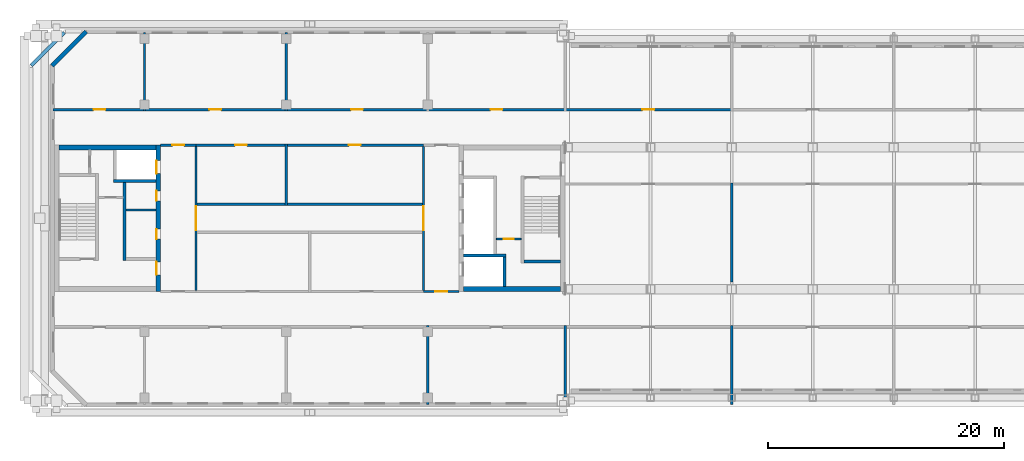
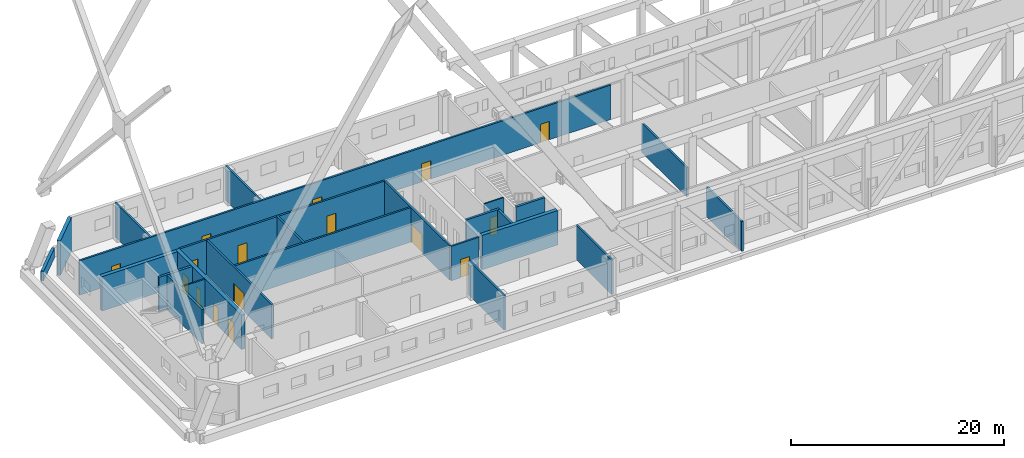
# One storey, part 5 of 17: 26 walls, 16 doors, 16 openings.
"""IFC4 building model written with IfcOpenShell, lengths in metres."""

from ifc_helpers import new_model, si_unit, direction, frame, frame_2d, origin, place, context, subcontext, project, spatial, rectangle, extrude, material, layer, layer_set, type_object, element, fill, save


model = new_model("IFC4")

# Units and contexts
model_context = context("Model", 3, precision=1e-05, world=origin(), true_north=direction((0.0, 1.0)))
body_context = subcontext(model_context, "Body", "Model", "MODEL_VIEW")
ifc_project = project(units=[si_unit("LENGTHUNIT", "METRE"), si_unit("AREAUNIT", "SQUARE_METRE"), si_unit("VOLUMEUNIT", "CUBIC_METRE"), si_unit("PLANEANGLEUNIT", "RADIAN"), si_unit("MASSUNIT", "GRAM", prefix="KILO")], contexts=[model_context])

# Site, building, storey
site_placement = place(None, origin())
site = spatial("IfcSite", under=ifc_project, at=site_placement, CompositionType="ELEMENT")
building_placement = place(site_placement, origin())
building = spatial("IfcBuilding", under=site, at=building_placement, Name="Tuart Gate Housing", CompositionType="ELEMENT")
storey_placement = place(building_placement, frame((0.0, 0.0, 194.39990234375)))
storey = spatial("IfcBuildingStorey", under=building, at=storey_placement, Name="L55", CompositionType="ELEMENT", Elevation=194.39990234375)

# Walls
ifc_material_1 = material(Name="Brick", Category="masonry")
ifc_layer_1 = layer(ifc_material_1, 0.300048828125)
ifc_layer_set_1 = layer_set([ifc_layer_1], Name="Brick parapet wall 300")
wall_type_1 = type_object("IfcWallType", Name="Brick parapet wall 300", PredefinedType="PARAPET", material=ifc_layer_set_1)
wall_1_placement = place(storey_placement, frame((33.20458984375, 85.742431640625, 0.0), z_axis=(0.0, 0.0, 1.0), x_axis=(-0.707137557743, -0.70707600329, 0.0)))
element("IfcWall", 1, at=wall_1_placement, inside=storey, type_object=wall_type_1, Name="Roof parapet A 2", PredefinedType="PARAPET", context=body_context, shape_type="SweptSolid", body=[
    extrude(rectangle(XDim=3.96630859375, YDim=0.300048828125, at=frame_2d((1.983154296875, 0.0))), origin(), (0.0, 0.0, 1.0), 1.10009765625),
])
ifc_material_2 = material(Name="Brick", Category="masonry")
ifc_layer_2 = layer(ifc_material_2, 0.360107421875)
ifc_layer_set_2 = layer_set([ifc_layer_2], Name="Brick pier and spandrel wall 360")
wall_type_2 = type_object("IfcWallType", Name="Brick pier and spandrel wall 360", PredefinedType="STANDARD", material=ifc_layer_set_2)
wall_2_placement = place(storey_placement, frame((35.07470703125, 85.820068359375, 0.0), z_axis=(0.0, 0.0, 1.0), x_axis=(-0.707106781187, -0.707106781187, 0.0)))
element("IfcWall", 2, at=wall_2_placement, inside=storey, type_object=wall_type_2, Name="External wall BLK-NW L55", PredefinedType="STANDARD", context=body_context, shape_type="SweptSolid", body=[
    extrude(rectangle(XDim=4.09375, YDim=0.360107421875, at=frame_2d((2.046875, 0.0))), origin(), (0.0, 0.0, 1.0), 3.9501953125),
])

# Wall, opening, door
ifc_material_3 = material(Name="Plasterboard partition")
ifc_layer_3 = layer(ifc_material_3, 0.14990234375)
ifc_layer_set_3 = layer_set([ifc_layer_3], Name="Core partition 150")
wall_type_3 = type_object("IfcWallType", Name="Core partition 150", PredefinedType="PARTITIONING", material=ifc_layer_set_3)
wall_3_placement = place(storey_placement, frame((69.81494140625, 68.25, 0.0), z_axis=(0.0, 0.0, 1.0), x_axis=(1.0, 0.0, 0.0)))
wall_3 = element("IfcWall", 3, at=wall_3_placement, inside=storey, type_object=wall_type_3, Name="Core partition AG.3", PredefinedType="PARTITIONING", context=body_context, shape_type="SweptSolid", body=[
    extrude(rectangle(XDim=2.10009765625, YDim=0.14990234375, at=frame_2d((1.050048828125, 0.0))), origin(), (0.0, 0.0, 1.0), 3.9501953125),
])
opening_1_placement = place(wall_3_placement, frame((0.625, 0.0, 0.0)))
opening_1 = element("IfcOpeningElement", 4, at=opening_1_placement, cuts=wall_3, Name="Opening D3517", PredefinedType="OPENING", context=body_context, shape_type="SweptSolid", body=[
    extrude(rectangle(XDim=0.85009765625, YDim=2.10009765625, at=frame_2d((0.425048828125, 1.050048828125))), frame((0.0, 0.0849609375, 0.0), z_axis=(0.0, -1.0, 0.0), x_axis=(1.0, 0.0, 0.0)), (0.0, 0.0, 1.0), 0.169921875),
])
ifc_material_4 = material(Name="Steel fire door", Category="steel")
door_type_1 = type_object("IfcDoorType", Name="Riser door 850 x 2100 RH", OperationType="SINGLE_SWING_RIGHT", PredefinedType="DOOR", material=ifc_material_4)
door_1_placement = place(opening_1_placement, frame((0.85009765625, 0.0, 0.0), z_axis=(0.0, 0.0, 1.0), x_axis=(-1.0, 0.0, 0.0)))
door_1 = element("IfcDoor", 5, at=door_1_placement, inside=storey, type_object=door_type_1, Name="Service room door AG.E1", OperationType="SINGLE_SWING_RIGHT", OverallHeight=2.10009765625, OverallWidth=0.85009765625, PredefinedType="DOOR", context=body_context, shape_type="SweptSolid", body=[
    extrude(rectangle(XDim=0.85009765625, YDim=2.10009765625, at=frame_2d((0.425048828125, 1.050048828125))), frame((0.0, 0.025146484375, 0.0), z_axis=(0.0, -1.0, 0.0), x_axis=(1.0, 0.0, 0.0)), (0.0, 0.0, 1.0), 0.050048828125),
])
fill(opening_1, door_1)

# Walls
wall_4_placement = place(storey_placement, frame((40.9599609375, 70.699951171875, 0.0), z_axis=(0.0, 0.0, 1.0), x_axis=(-1.0, 0.0, 0.0)))
element("IfcWall", 6, at=wall_4_placement, inside=storey, type_object=wall_type_3, Name="Core partition AK.4", PredefinedType="PARTITIONING", context=body_context, shape_type="SweptSolid", body=[
    extrude(rectangle(XDim=2.52490234375, YDim=0.14990234375, at=frame_2d((1.262451171875, 0.0))), origin(), (0.0, 0.0, 1.0), 3.9501953125),
])
ifc_material_5 = material(Name="Concrete C40", Category="concrete")
ifc_layer_4 = layer(ifc_material_5, 0.25)
ifc_layer_set_4 = layer_set([ifc_layer_4], Name="Core wall 250 C40")
wall_type_4 = type_object("IfcWallType", Name="Core wall 250 C40", PredefinedType="SHEAR", material=ifc_layer_set_4)
wall_5_placement = place(storey_placement, frame((72.1650390625, 66.35009765625, 0.0), z_axis=(0.0, 0.0, 1.0), x_axis=(1.0, 0.0, 0.0)))
element("IfcWall", 7, at=wall_5_placement, inside=storey, type_object=wall_type_4, Name="Core wall AG.1", PredefinedType="SHEAR", context=body_context, shape_type="SweptSolid", body=[
    extrude(rectangle(XDim=3.074951171875, YDim=0.25, at=frame_2d((1.53759765625, 0.0))), origin(), (0.0, 0.0, 1.0), 3.9501953125),
])
wall_6_placement = place(storey_placement, frame((67.0400390625, 66.85009765625, 0.0), z_axis=(0.0, 0.0, 1.0), x_axis=(1.0, 0.0, 0.0)))
element("IfcWall", 8, at=wall_6_placement, inside=storey, type_object=wall_type_4, Name="Core wall AG.2", PredefinedType="SHEAR", context=body_context, shape_type="SweptSolid", body=[
    extrude(rectangle(XDim=3.594970703125, YDim=0.25, at=frame_2d((1.79736328125, 0.0))), origin(), (0.0, 0.0, 1.0), 3.9501953125),
])
wall_7_placement = place(storey_placement, frame((70.510009765625, 64.199951171875, 0.0), z_axis=(0.0, 0.0, 1.0), x_axis=(0.0, 1.0, 0.0)))
element("IfcWall", 9, at=wall_7_placement, inside=storey, type_object=wall_type_4, Name="Core wall AG.7", PredefinedType="SHEAR", context=body_context, shape_type="SweptSolid", body=[
    extrude(rectangle(XDim=2.525146484375, YDim=0.25, at=frame_2d((1.2626953125, 0.0))), origin(), (0.0, 0.0, 1.0), 3.9501953125),
])
wall_8_placement = place(storey_placement, frame((40.9599609375, 73.14990234375, 0.0), z_axis=(0.0, 0.0, 1.0), x_axis=(-1.0, 0.0, 0.0)))
element("IfcWall", 10, at=wall_8_placement, inside=storey, type_object=wall_type_4, Name="Core wall AK.2", PredefinedType="SHEAR", context=body_context, shape_type="SweptSolid", body=[
    extrude(rectangle(XDim=3.594970703125, YDim=0.25, at=frame_2d((1.79736328125, 0.0))), origin(), (0.0, 0.0, 1.0), 3.9501953125),
])
wall_9_placement = place(storey_placement, frame((38.31005859375, 73.02490234375, 0.0), z_axis=(0.0, 0.0, 1.0), x_axis=(0.0, -1.0, 0.0)))
element("IfcWall", 11, at=wall_9_placement, inside=storey, type_object=wall_type_4, Name="Core wall AK.7", PredefinedType="SHEAR", context=body_context, shape_type="SweptSolid", body=[
    extrude(rectangle(XDim=6.599853515625, YDim=0.25, at=frame_2d((3.2998046875, 0.0))), origin(), (0.0, 0.0, 1.0), 3.9501953125),
])
ifc_material_6 = material(Name="Concrete C40", Category="concrete")
ifc_layer_5 = layer(ifc_material_6, 0.39990234375)
ifc_layer_set_5 = layer_set([ifc_layer_5], Name="Core wall 400 C40")
wall_type_5 = type_object("IfcWallType", Name="Core wall 400 C40", PredefinedType="SHEAR", material=ifc_layer_set_5)
wall_10_placement = place(storey_placement, frame((67.0400390625, 64.0, 0.0), z_axis=(0.0, 0.0, 1.0), x_axis=(1.0, 0.0, 0.0)))
element("IfcWall", 12, at=wall_10_placement, inside=storey, type_object=wall_type_5, Name="Core wall AG south", PredefinedType="SHEAR", context=body_context, shape_type="SweptSolid", body=[
    extrude(rectangle(XDim=8.199951171875, YDim=0.39990234375, at=frame_2d((4.10009765625, 0.0))), origin(), (0.0, 0.0, 1.0), 3.9501953125),
])

# Wall, openings, doors
wall_11_placement = place(storey_placement, frame((41.159912109375, 76.199951171875, 0.0), z_axis=(0.0, 0.0, 1.0), x_axis=(0.0, -1.0, 0.0)))
wall_11 = element("IfcWall", 13, at=wall_11_placement, inside=storey, type_object=wall_type_5, Name="Core wall AK front", PredefinedType="SHEAR", context=body_context, shape_type="SweptSolid", body=[
    extrude(rectangle(XDim=12.39990234375, YDim=0.39990234375, at=frame_2d((6.199951171875, 0.0))), origin(), (0.0, 0.0, 1.0), 3.9501953125),
])
opening_2_placement = place(wall_11_placement, frame((1.324951171875, 0.0, 0.0)))
opening_2 = element("IfcOpeningElement", 14, at=opening_2_placement, cuts=wall_11, Name="Opening LD-FA2", PredefinedType="OPENING", context=body_context, shape_type="SweptSolid", body=[
    extrude(rectangle(XDim=1.10009765625, YDim=2.10009765625, at=frame_2d((0.550048828125, 1.050048828125))), frame((0.0, 0.2099609375, 0.0), z_axis=(0.0, -1.0, 0.0), x_axis=(1.0, 0.0, 0.0)), (0.0, 0.0, 1.0), 0.419921875),
])
opening_3_placement = place(wall_11_placement, frame((3.875, 0.0, 0.0)))
opening_3 = element("IfcOpeningElement", 15, at=opening_3_placement, cuts=wall_11, Name="Opening D3511", PredefinedType="OPENING", context=body_context, shape_type="SweptSolid", body=[
    extrude(rectangle(XDim=0.85009765625, YDim=2.10009765625, at=frame_2d((0.425048828125, 1.050048828125))), frame((0.0, 0.2099609375, 0.0), z_axis=(0.0, -1.0, 0.0), x_axis=(1.0, 0.0, 0.0)), (0.0, 0.0, 1.0), 0.419921875),
])
opening_4_placement = place(wall_11_placement, frame((7.125, 0.0, 0.0)))
opening_4 = element("IfcOpeningElement", 16, at=opening_4_placement, cuts=wall_11, Name="Opening D3512", PredefinedType="OPENING", context=body_context, shape_type="SweptSolid", body=[
    extrude(rectangle(XDim=0.85009765625, YDim=2.10009765625, at=frame_2d((0.425048828125, 1.050048828125))), frame((0.0, 0.2099609375, 0.0), z_axis=(0.0, -1.0, 0.0), x_axis=(1.0, 0.0, 0.0)), (0.0, 0.0, 1.0), 0.419921875),
])
opening_5_placement = place(wall_11_placement, frame((9.89990234375, 0.0, 0.0)))
opening_5 = element("IfcOpeningElement", 17, at=opening_5_placement, cuts=wall_11, Name="Opening D3510", PredefinedType="OPENING", context=body_context, shape_type="SweptSolid", body=[
    extrude(rectangle(XDim=1.10009765625, YDim=2.10009765625, at=frame_2d((0.550048828125, 1.050048828125))), frame((0.0, 0.2099609375, 0.0), z_axis=(0.0, -1.0, 0.0), x_axis=(1.0, 0.0, 0.0)), (0.0, 0.0, 1.0), 0.419921875),
])
ifc_material_7 = material(Name="Stainless steel", Category="steel")
door_type_2 = type_object("IfcDoorType", Name="Landing door 1100 x 2100", OperationType="DOUBLE_DOOR_SLIDING", PredefinedType="DOOR", material=ifc_material_7)
door_2_placement = place(opening_2_placement, origin())
door_2 = element("IfcDoor", 18, at=door_2_placement, inside=storey, type_object=door_type_2, Name="Lift landing door FA2", OperationType="DOUBLE_DOOR_SLIDING", OverallHeight=2.10009765625, OverallWidth=1.10009765625, PredefinedType="DOOR", context=body_context, shape_type="SweptSolid", body=[
    extrude(rectangle(XDim=1.10009765625, YDim=2.10009765625, at=frame_2d((0.550048828125, 1.050048828125))), frame((0.0, -0.134765625, 0.0), z_axis=(0.0, -1.0, 0.0), x_axis=(1.0, 0.0, 0.0)), (0.0, 0.0, 1.0), 0.050048828125),
])
fill(opening_2, door_2)
ifc_material_8 = material(Name="Steel fire door", Category="steel")
door_type_3 = type_object("IfcDoorType", Name="Lobby door 1100 x 2100 RH", OperationType="SINGLE_SWING_RIGHT", PredefinedType="DOOR", material=ifc_material_8)
door_3_placement = place(opening_5_placement, frame((1.10009765625, 0.0, 0.0), z_axis=(0.0, 0.0, 1.0), x_axis=(-1.0, 0.0, 0.0)))
door_3 = element("IfcDoor", 19, at=door_3_placement, inside=storey, type_object=door_type_3, Name="Lobby entry door AK.EN", OperationType="SINGLE_SWING_RIGHT", OverallHeight=2.10009765625, OverallWidth=1.10009765625, PredefinedType="DOOR", context=body_context, shape_type="SweptSolid", body=[
    extrude(rectangle(XDim=1.10009765625, YDim=2.10009765625, at=frame_2d((0.550048828125, 1.050048828125))), frame((0.0, 0.184814453125, 0.0), z_axis=(0.0, -1.0, 0.0), x_axis=(1.0, 0.0, 0.0)), (0.0, 0.0, 1.0), 0.050048828125),
])
fill(opening_5, door_3)
ifc_material_9 = material(Name="Steel fire door", Category="steel")
door_type_4 = type_object("IfcDoorType", Name="Service door 850 x 2100 RH", OperationType="SINGLE_SWING_RIGHT", PredefinedType="DOOR", material=ifc_material_9)
door_4_placement = place(opening_3_placement, frame((0.85009765625, 0.0, 0.0), z_axis=(0.0, 0.0, 1.0), x_axis=(-1.0, 0.0, 0.0)))
door_4 = element("IfcDoor", 20, at=door_4_placement, inside=storey, type_object=door_type_4, Name="Service room door AK.FR1", OperationType="SINGLE_SWING_RIGHT", OverallHeight=2.10009765625, OverallWidth=0.85009765625, PredefinedType="DOOR", context=body_context, shape_type="SweptSolid", body=[
    extrude(rectangle(XDim=0.85009765625, YDim=2.10009765625, at=frame_2d((0.425048828125, 1.050048828125))), frame((0.0, 0.184814453125, 0.0), z_axis=(0.0, -1.0, 0.0), x_axis=(1.0, 0.0, 0.0)), (0.0, 0.0, 1.0), 0.050048828125),
])
fill(opening_3, door_4)
door_5_placement = place(opening_4_placement, frame((0.85009765625, 0.0, 0.0), z_axis=(0.0, 0.0, 1.0), x_axis=(-1.0, 0.0, 0.0)))
door_5 = element("IfcDoor", 21, at=door_5_placement, inside=storey, type_object=door_type_4, Name="Service room door AK.FR2", OperationType="SINGLE_SWING_RIGHT", OverallHeight=2.10009765625, OverallWidth=0.85009765625, PredefinedType="DOOR", context=body_context, shape_type="SweptSolid", body=[
    extrude(rectangle(XDim=0.85009765625, YDim=2.10009765625, at=frame_2d((0.425048828125, 1.050048828125))), frame((0.0, 0.184814453125, 0.0), z_axis=(0.0, -1.0, 0.0), x_axis=(1.0, 0.0, 0.0)), (0.0, 0.0, 1.0), 0.050048828125),
])
fill(opening_4, door_5)

# Wall
wall_12_placement = place(storey_placement, frame((40.9599609375, 76.0, 0.0), z_axis=(0.0, 0.0, 1.0), x_axis=(-1.0, 0.0, 0.0)))
element("IfcWall", 22, at=wall_12_placement, inside=storey, type_object=wall_type_5, Name="Core wall AK south", PredefinedType="SHEAR", context=body_context, shape_type="SweptSolid", body=[
    extrude(rectangle(XDim=8.199951171875, YDim=0.39990234375, at=frame_2d((4.10009765625, 0.0))), origin(), (0.0, 0.0, 1.0), 3.9501953125),
])

# Wall, opening, door
ifc_material_10 = material(Name="Concrete masonry 15 MPa", Category="masonry")
ifc_layer_6 = layer(ifc_material_10, 0.199951171875)
ifc_layer_set_6 = layer_set([ifc_layer_6], Name="Enclosure wall masonry 200")
wall_type_6 = type_object("IfcWallType", Name="Enclosure wall masonry 200", PredefinedType="PARTITIONING", material=ifc_layer_set_6)
wall_13_placement = place(storey_placement, frame((63.639892578125, 63.800048828125, 0.0), z_axis=(0.0, 0.0, 1.0), x_axis=(1.0, 0.0, 0.0)))
wall_13 = element("IfcWall", 23, at=wall_13_placement, inside=storey, type_object=wall_type_6, Name="Enclosure wall masonry 200", PredefinedType="PARTITIONING", context=body_context, shape_type="SweptSolid", body=[
    extrude(rectangle(XDim=3.0, YDim=0.199951171875, at=frame_2d((1.5, 0.0))), origin(), (0.0, 0.0, 1.0), 3.9501953125),
])
opening_6_placement = place(wall_13_placement, frame((1.0, 0.0, 0.0)))
opening_6 = element("IfcOpeningElement", 24, at=opening_6_placement, cuts=wall_13, Name="Opening D3522", PredefinedType="OPENING", context=body_context, shape_type="SweptSolid", body=[
    extrude(rectangle(XDim=1.0, YDim=2.10009765625, at=frame_2d((0.5, 1.050048828125))), frame((0.0, 0.10986328125, 0.0), z_axis=(0.0, -1.0, 0.0), x_axis=(1.0, 0.0, 0.0)), (0.0, 0.0, 1.0), 0.219970703125),
])
ifc_material_11 = material(Name="Timber door leaf in steel frame", Category="steel")
door_type_5 = type_object("IfcDoorType", Name="Lobby door 1000", OperationType="SINGLE_SWING_LEFT", PredefinedType="DOOR", material=ifc_material_11)
door_6_placement = place(opening_6_placement, origin())
door_6 = element("IfcDoor", 25, at=door_6_placement, inside=storey, type_object=door_type_5, Name="Lobby door 1000", OperationType="SINGLE_SWING_LEFT", OverallHeight=2.10009765625, OverallWidth=1.0, PredefinedType="DOOR", context=body_context, shape_type="SweptSolid", body=[
    extrude(rectangle(XDim=1.0, YDim=2.10009765625, at=frame_2d((0.5, 1.050048828125))), frame((0.0, 0.02490234375, 0.0), z_axis=(0.0, -1.0, 0.0), x_axis=(1.0, 0.0, 0.0)), (0.0, 0.0, 1.0), 0.050048828125),
])
fill(opening_6, door_6)

# Wall
wall_14_placement = place(storey_placement, frame((44.360107421875, 71.199951171875, 0.0), z_axis=(0.0, 0.0, 1.0), x_axis=(1.0, 0.0, 0.0)))
element("IfcWall", 26, at=wall_14_placement, inside=storey, type_object=wall_type_6, Name="Enclosure wall masonry 200", PredefinedType="PARTITIONING", context=body_context, shape_type="SweptSolid", body=[
    extrude(rectangle(XDim=19.27978515625, YDim=0.199951171875, at=frame_2d((9.639892578125, 0.0))), origin(), (0.0, 0.0, 1.0), 3.9501953125),
])

# Wall, openings, doors
wall_15_placement = place(storey_placement, frame((44.360107421875, 76.199951171875, 0.0), z_axis=(0.0, 0.0, 1.0), x_axis=(1.0, 0.0, 0.0)))
wall_15 = element("IfcWall", 27, at=wall_15_placement, inside=storey, type_object=wall_type_6, Name="Enclosure wall masonry 200", PredefinedType="PARTITIONING", context=body_context, shape_type="SweptSolid", body=[
    extrude(rectangle(XDim=19.27978515625, YDim=0.199951171875, at=frame_2d((9.639892578125, 0.0))), origin(), (0.0, 0.0, 1.0), 3.9501953125),
])
opening_7_placement = place(wall_15_placement, frame((3.320068359375, 0.0, 0.0)))
opening_7 = element("IfcOpeningElement", 28, at=opening_7_placement, cuts=wall_15, Name="Opening D3504", PredefinedType="OPENING", context=body_context, shape_type="SweptSolid", body=[
    extrude(rectangle(XDim=1.0, YDim=2.10009765625, at=frame_2d((0.5, 1.050048828125))), frame((0.0, 0.10986328125, 0.0), z_axis=(0.0, -1.0, 0.0), x_axis=(1.0, 0.0, 0.0)), (0.0, 0.0, 1.0), 0.219970703125),
])
opening_8_placement = place(wall_15_placement, frame((12.9599609375, 0.0, 0.0)))
opening_8 = element("IfcOpeningElement", 29, at=opening_8_placement, cuts=wall_15, Name="Opening D3505", PredefinedType="OPENING", context=body_context, shape_type="SweptSolid", body=[
    extrude(rectangle(XDim=1.0, YDim=2.10009765625, at=frame_2d((0.5, 1.050048828125))), frame((0.0, 0.10986328125, 0.0), z_axis=(0.0, -1.0, 0.0), x_axis=(1.0, 0.0, 0.0)), (0.0, 0.0, 1.0), 0.219970703125),
])
ifc_material_12 = material(Name="Timber door leaf in steel frame", Category="steel")
door_type_6 = type_object("IfcDoorType", Name="Fire door 1000 RH", OperationType="SINGLE_SWING_RIGHT", PredefinedType="DOOR", material=ifc_material_12)
door_7_placement = place(opening_7_placement, frame((1.0, 0.0, 0.0), z_axis=(0.0, 0.0, 1.0), x_axis=(-1.0, 0.0, 0.0)))
door_7 = element("IfcDoor", 30, at=door_7_placement, inside=storey, type_object=door_type_6, Name="Fire door 1000", OperationType="SINGLE_SWING_RIGHT", OverallHeight=2.10009765625, OverallWidth=1.0, PredefinedType="DOOR", context=body_context, shape_type="SweptSolid", body=[
    extrude(rectangle(XDim=1.0, YDim=2.10009765625, at=frame_2d((0.5, 1.050048828125))), frame((0.0, 0.025146484375, 0.0), z_axis=(0.0, -1.0, 0.0), x_axis=(1.0, 0.0, 0.0)), (0.0, 0.0, 1.0), 0.050048828125),
])
fill(opening_7, door_7)
door_8_placement = place(opening_8_placement, frame((1.0, 0.0, 0.0), z_axis=(0.0, 0.0, 1.0), x_axis=(-1.0, 0.0, 0.0)))
door_8 = element("IfcDoor", 31, at=door_8_placement, inside=storey, type_object=door_type_6, Name="Fire door 1000", OperationType="SINGLE_SWING_RIGHT", OverallHeight=2.10009765625, OverallWidth=1.0, PredefinedType="DOOR", context=body_context, shape_type="SweptSolid", body=[
    extrude(rectangle(XDim=1.0, YDim=2.10009765625, at=frame_2d((0.5, 1.050048828125))), frame((0.0, 0.025146484375, 0.0), z_axis=(0.0, -1.0, 0.0), x_axis=(1.0, 0.0, 0.0)), (0.0, 0.0, 1.0), 0.050048828125),
])
fill(opening_8, door_8)

# Wall, opening, door
wall_16_placement = place(storey_placement, frame((41.360107421875, 76.199951171875, 0.0), z_axis=(0.0, 0.0, 1.0), x_axis=(1.0, 0.0, 0.0)))
wall_16 = element("IfcWall", 32, at=wall_16_placement, inside=storey, type_object=wall_type_6, Name="Enclosure wall masonry 200", PredefinedType="PARTITIONING", context=body_context, shape_type="SweptSolid", body=[
    extrude(rectangle(XDim=3.0, YDim=0.199951171875, at=frame_2d((1.5, 0.0))), origin(), (0.0, 0.0, 1.0), 3.9501953125),
])
opening_9_placement = place(wall_16_placement, frame((1.0, 0.0, 0.0)))
opening_9 = element("IfcOpeningElement", 33, at=opening_9_placement, cuts=wall_16, Name="Opening D3503", PredefinedType="OPENING", context=body_context, shape_type="SweptSolid", body=[
    extrude(rectangle(XDim=1.0, YDim=2.10009765625, at=frame_2d((0.5, 1.050048828125))), frame((0.0, 0.10986328125, 0.0), z_axis=(0.0, -1.0, 0.0), x_axis=(1.0, 0.0, 0.0)), (0.0, 0.0, 1.0), 0.219970703125),
])
door_9_placement = place(opening_9_placement, frame((1.0, 0.0, 0.0), z_axis=(0.0, 0.0, 1.0), x_axis=(-1.0, 0.0, 0.0)))
door_9 = element("IfcDoor", 34, at=door_9_placement, inside=storey, type_object=door_type_5, Name="Lobby door 1000", OperationType="SINGLE_SWING_LEFT", OverallHeight=2.10009765625, OverallWidth=1.0, PredefinedType="DOOR", context=body_context, shape_type="SweptSolid", body=[
    extrude(rectangle(XDim=1.0, YDim=2.10009765625, at=frame_2d((0.5, 1.050048828125))), frame((0.0, 0.025146484375, 0.0), z_axis=(0.0, -1.0, 0.0), x_axis=(1.0, 0.0, 0.0)), (0.0, 0.0, 1.0), 0.050048828125),
])
fill(opening_9, door_9)

# Wall, openings, doors
wall_17_placement = place(storey_placement, frame((32.239990234375, 79.199951171875, 0.0), z_axis=(0.0, 0.0, 1.0), x_axis=(1.0, 0.0, 0.0)))
wall_17 = element("IfcWall", 35, at=wall_17_placement, inside=storey, type_object=wall_type_6, Name="Enclosure wall masonry 200", PredefinedType="PARTITIONING", context=body_context, shape_type="SweptSolid", body=[
    extrude(rectangle(XDim=57.610107421875, YDim=0.199951171875, at=frame_2d((28.80517578125, 0.0))), origin(), (0.0, 0.0, 1.0), 3.9501953125),
])
opening_10_placement = place(wall_17_placement, frame((3.43994140625, 0.0, 0.0)))
opening_10 = element("IfcOpeningElement", 36, at=opening_10_placement, cuts=wall_17, Name="Opening D3498", PredefinedType="OPENING", context=body_context, shape_type="SweptSolid", body=[
    extrude(rectangle(XDim=1.0, YDim=2.10009765625, at=frame_2d((0.5, 1.050048828125))), frame((0.0, 0.10986328125, 0.0), z_axis=(0.0, -1.0, 0.0), x_axis=(1.0, 0.0, 0.0)), (0.0, 0.0, 1.0), 0.219970703125),
])
opening_11_placement = place(wall_17_placement, frame((13.260009765625, 0.0, 0.0)))
opening_11 = element("IfcOpeningElement", 37, at=opening_11_placement, cuts=wall_17, Name="Opening D3499", PredefinedType="OPENING", context=body_context, shape_type="SweptSolid", body=[
    extrude(rectangle(XDim=1.0, YDim=2.10009765625, at=frame_2d((0.5, 1.050048828125))), frame((0.0, 0.10986328125, 0.0), z_axis=(0.0, -1.0, 0.0), x_axis=(1.0, 0.0, 0.0)), (0.0, 0.0, 1.0), 0.219970703125),
])
opening_12_placement = place(wall_17_placement, frame((25.260009765625, 0.0, 0.0)))
opening_12 = element("IfcOpeningElement", 38, at=opening_12_placement, cuts=wall_17, Name="Opening D3500", PredefinedType="OPENING", context=body_context, shape_type="SweptSolid", body=[
    extrude(rectangle(XDim=1.0, YDim=2.10009765625, at=frame_2d((0.5, 1.050048828125))), frame((0.0, 0.10986328125, 0.0), z_axis=(0.0, -1.0, 0.0), x_axis=(1.0, 0.0, 0.0)), (0.0, 0.0, 1.0), 0.219970703125),
])
opening_13_placement = place(wall_17_placement, frame((37.080078125, 0.0, 0.0)))
opening_13 = element("IfcOpeningElement", 39, at=opening_13_placement, cuts=wall_17, Name="Opening D3501", PredefinedType="OPENING", context=body_context, shape_type="SweptSolid", body=[
    extrude(rectangle(XDim=1.0, YDim=2.10009765625, at=frame_2d((0.5, 1.050048828125))), frame((0.0, 0.10986328125, 0.0), z_axis=(0.0, -1.0, 0.0), x_axis=(1.0, 0.0, 0.0)), (0.0, 0.0, 1.0), 0.219970703125),
])
opening_14_placement = place(wall_17_placement, frame((49.955078125, 0.0, 0.0)))
opening_14 = element("IfcOpeningElement", 40, at=opening_14_placement, cuts=wall_17, Name="Opening D3502", PredefinedType="OPENING", context=body_context, shape_type="SweptSolid", body=[
    extrude(rectangle(XDim=1.0, YDim=2.10009765625, at=frame_2d((0.5, 1.050048828125))), frame((0.0, 0.10986328125, 0.0), z_axis=(0.0, -1.0, 0.0), x_axis=(1.0, 0.0, 0.0)), (0.0, 0.0, 1.0), 0.219970703125),
])
ifc_material_13 = material(Name="Timber door leaf in steel frame", Category="steel")
door_type_7 = type_object("IfcDoorType", Name="Fire door 1000", OperationType="SINGLE_SWING_LEFT", PredefinedType="DOOR", material=ifc_material_13)
door_10_placement = place(opening_10_placement, origin())
door_10 = element("IfcDoor", 41, at=door_10_placement, inside=storey, type_object=door_type_7, Name="Fire door 1000", OperationType="SINGLE_SWING_LEFT", OverallHeight=2.10009765625, OverallWidth=1.0, PredefinedType="DOOR", context=body_context, shape_type="SweptSolid", body=[
    extrude(rectangle(XDim=1.0, YDim=2.10009765625, at=frame_2d((0.5, 1.050048828125))), frame((0.0, 0.02490234375, 0.0), z_axis=(0.0, -1.0, 0.0), x_axis=(1.0, 0.0, 0.0)), (0.0, 0.0, 1.0), 0.050048828125),
])
fill(opening_10, door_10)
door_11_placement = place(opening_11_placement, origin())
door_11 = element("IfcDoor", 42, at=door_11_placement, inside=storey, type_object=door_type_7, Name="Fire door 1000", OperationType="SINGLE_SWING_LEFT", OverallHeight=2.10009765625, OverallWidth=1.0, PredefinedType="DOOR", context=body_context, shape_type="SweptSolid", body=[
    extrude(rectangle(XDim=1.0, YDim=2.10009765625, at=frame_2d((0.5, 1.050048828125))), frame((0.0, 0.02490234375, 0.0), z_axis=(0.0, -1.0, 0.0), x_axis=(1.0, 0.0, 0.0)), (0.0, 0.0, 1.0), 0.050048828125),
])
fill(opening_11, door_11)
door_12_placement = place(opening_12_placement, origin())
door_12 = element("IfcDoor", 43, at=door_12_placement, inside=storey, type_object=door_type_7, Name="Fire door 1000", OperationType="SINGLE_SWING_LEFT", OverallHeight=2.10009765625, OverallWidth=1.0, PredefinedType="DOOR", context=body_context, shape_type="SweptSolid", body=[
    extrude(rectangle(XDim=1.0, YDim=2.10009765625, at=frame_2d((0.5, 1.050048828125))), frame((0.0, 0.02490234375, 0.0), z_axis=(0.0, -1.0, 0.0), x_axis=(1.0, 0.0, 0.0)), (0.0, 0.0, 1.0), 0.050048828125),
])
fill(opening_12, door_12)
door_13_placement = place(opening_13_placement, origin())
door_13 = element("IfcDoor", 44, at=door_13_placement, inside=storey, type_object=door_type_7, Name="Fire door 1000", OperationType="SINGLE_SWING_LEFT", OverallHeight=2.10009765625, OverallWidth=1.0, PredefinedType="DOOR", context=body_context, shape_type="SweptSolid", body=[
    extrude(rectangle(XDim=1.0, YDim=2.10009765625, at=frame_2d((0.5, 1.050048828125))), frame((0.0, 0.02490234375, 0.0), z_axis=(0.0, -1.0, 0.0), x_axis=(1.0, 0.0, 0.0)), (0.0, 0.0, 1.0), 0.050048828125),
])
fill(opening_13, door_13)
door_14_placement = place(opening_14_placement, origin())
door_14 = element("IfcDoor", 45, at=door_14_placement, inside=storey, type_object=door_type_7, Name="Fire door 1000", OperationType="SINGLE_SWING_LEFT", OverallHeight=2.10009765625, OverallWidth=1.0, PredefinedType="DOOR", context=body_context, shape_type="SweptSolid", body=[
    extrude(rectangle(XDim=1.0, YDim=2.10009765625, at=frame_2d((0.5, 1.050048828125))), frame((0.0, 0.02490234375, 0.0), z_axis=(0.0, -1.0, 0.0), x_axis=(1.0, 0.0, 0.0)), (0.0, 0.0, 1.0), 0.050048828125),
])
fill(opening_14, door_14)

# Walls
wall_18_placement = place(storey_placement, frame((40.0, 79.10009765625, 0.0), z_axis=(0.0, 0.0, 1.0), x_axis=(0.0, 1.0, 0.0)))
element("IfcWall", 46, at=wall_18_placement, inside=storey, type_object=wall_type_6, Name="Enclosure wall masonry 200", PredefinedType="PARTITIONING", context=body_context, shape_type="SweptSolid", body=[
    extrude(rectangle(XDim=6.659912109375, YDim=0.199951171875, at=frame_2d((3.330078125, 0.0))), origin(), (0.0, 0.0, 1.0), 3.9501953125),
])
wall_19_placement = place(storey_placement, frame((52.0, 71.10009765625, 0.0), z_axis=(0.0, 0.0, 1.0), x_axis=(0.0, 1.0, 0.0)))
element("IfcWall", 47, at=wall_19_placement, inside=storey, type_object=wall_type_6, Name="Enclosure wall masonry 200", PredefinedType="PARTITIONING", context=body_context, shape_type="SweptSolid", body=[
    extrude(rectangle(XDim=5.199951171875, YDim=0.199951171875, at=frame_2d((2.60009765625, 0.0))), origin(), (0.0, 0.0, 1.0), 3.9501953125),
])
for number, where, z_axis, x_axis, name in (
    (48, (52.0, 79.10009765625, 0.0), (0.0, 0.0, 1.0), (0.0, 1.0, 0.0), "Enclosure wall masonry 200"),
    (49, (64.0, 54.239990234375, 0.0), (0.0, 0.0, 1.0), (0.0, 1.0, 0.0), "Enclosure wall masonry 200"),
    (50, (75.639892578125, 54.239990234375, 0.0), (0.0, 0.0, 1.0), (0.0, 1.0, 0.0), "Enclosure wall masonry 200"),
):
    element("IfcWall", number, at=place(storey_placement, frame(where, z_axis=z_axis, x_axis=x_axis)), inside=storey, type_object=wall_type_6, Name=name, PredefinedType="PARTITIONING", context=body_context, shape_type="SweptSolid", body=[
        extrude(rectangle(XDim=6.659912109375, YDim=0.199951171875, at=frame_2d((3.330078125, 0.0))), origin(), (0.0, 0.0, 1.0), 3.9501953125),
    ])
wall_20_placement = place(storey_placement, frame((89.75, 54.239990234375, 0.0), z_axis=(0.0, 0.0, 1.0), x_axis=(0.0, 1.0, 0.0)))
element("IfcWall", 51, at=wall_20_placement, inside=storey, type_object=wall_type_6, Name="Enclosure wall masonry 200", PredefinedType="PARTITIONING", context=body_context, shape_type="SweptSolid", body=[
    extrude(rectangle(XDim=6.659912109375, YDim=0.199951171875, at=frame_2d((3.330078125, 0.0))), origin(), (0.0, 0.0, 1.0), 3.4169921875),
])
wall_21_placement = place(storey_placement, frame((89.75, 64.580078125, 0.0), z_axis=(0.0, 0.0, 1.0), x_axis=(0.0, 1.0, 0.0)))
element("IfcWall", 52, at=wall_21_placement, inside=storey, type_object=wall_type_6, Name="Enclosure wall masonry 200", PredefinedType="PARTITIONING", context=body_context, shape_type="SweptSolid", body=[
    extrude(rectangle(XDim=8.419921875, YDim=0.199951171875, at=frame_2d((4.2099609375, 0.0))), origin(), (0.0, 0.0, 1.0), 3.338134765625),
])

# Wall, opening, door
ifc_material_14 = material(Name="Plasterboard partition")
ifc_layer_7 = layer(ifc_material_14, 0.199951171875)
ifc_layer_set_7 = layer_set([ifc_layer_7], Name="Lobby wall 200")
wall_type_7 = type_object("IfcWallType", Name="Lobby wall 200", PredefinedType="PARTITIONING", material=ifc_layer_set_7)
wall_22_placement = place(storey_placement, frame((63.639892578125, 63.89990234375, 0.0), z_axis=(0.0, 0.0, 1.0), x_axis=(0.0, 1.0, 0.0)))
wall_22 = element("IfcWall", 53, at=wall_22_placement, inside=storey, type_object=wall_type_7, Name="Lift lobby wall AG", PredefinedType="PARTITIONING", context=body_context, shape_type="SweptSolid", body=[
    extrude(rectangle(XDim=12.2001953125, YDim=0.199951171875, at=frame_2d((6.10009765625, 0.0))), origin(), (0.0, 0.0, 1.0), 3.9501953125),
])
opening_15_placement = place(wall_22_placement, frame((5.10009765625, 0.0, 0.0)))
opening_15 = element("IfcOpeningElement", 54, at=opening_15_placement, cuts=wall_22, Name="Opening D3514", PredefinedType="OPENING", context=body_context, shape_type="SweptSolid", body=[
    extrude(rectangle(XDim=2.0, YDim=2.10009765625, at=frame_2d((1.0, 1.050048828125))), frame((0.0, 0.10986328125, 0.0), z_axis=(0.0, -1.0, 0.0), x_axis=(1.0, 0.0, 0.0)), (0.0, 0.0, 1.0), 0.219970703125),
])
ifc_material_15 = material(Name="Steel fire door", Category="steel")
door_type_8 = type_object("IfcDoorType", Name="Smoke door 2000 x 2100", OperationType="DOUBLE_DOOR_SINGLE_SWING", PredefinedType="DOOR", material=ifc_material_15)
door_15_placement = place(opening_15_placement, frame((2.0, 0.0, 0.0), z_axis=(0.0, 0.0, 1.0), x_axis=(-1.0, 0.0, 0.0)))
door_15 = element("IfcDoor", 55, at=door_15_placement, inside=storey, type_object=door_type_8, Name="Lift lobby smoke door AG", OperationType="DOUBLE_DOOR_SINGLE_SWING", OverallHeight=2.10009765625, OverallWidth=2.0, PredefinedType="DOOR", context=body_context, shape_type="SweptSolid", body=[
    extrude(rectangle(XDim=2.0, YDim=2.10009765625, at=frame_2d((1.0, 1.050048828125))), frame((0.0, 0.025146484375, 0.0), z_axis=(0.0, -1.0, 0.0), x_axis=(1.0, 0.0, 0.0)), (0.0, 0.0, 1.0), 0.050048828125),
])
fill(opening_15, door_15)

wall_23_placement = place(storey_placement, frame((44.360107421875, 63.89990234375, 0.0), z_axis=(0.0, 0.0, 1.0), x_axis=(0.0, 1.0, 0.0)))
wall_23 = element("IfcWall", 56, at=wall_23_placement, inside=storey, type_object=wall_type_7, Name="Lift lobby wall AK", PredefinedType="PARTITIONING", context=body_context, shape_type="SweptSolid", body=[
    extrude(rectangle(XDim=12.2001953125, YDim=0.199951171875, at=frame_2d((6.10009765625, 0.0))), origin(), (0.0, 0.0, 1.0), 3.9501953125),
])
opening_16_placement = place(wall_23_placement, frame((5.10009765625, 0.0, 0.0)))
opening_16 = element("IfcOpeningElement", 57, at=opening_16_placement, cuts=wall_23, Name="Opening D3513", PredefinedType="OPENING", context=body_context, shape_type="SweptSolid", body=[
    extrude(rectangle(XDim=2.0, YDim=2.10009765625, at=frame_2d((1.0, 1.050048828125))), frame((0.0, 0.10986328125, 0.0), z_axis=(0.0, -1.0, 0.0), x_axis=(1.0, 0.0, 0.0)), (0.0, 0.0, 1.0), 0.219970703125),
])
door_16_placement = place(opening_16_placement, origin())
door_16 = element("IfcDoor", 58, at=door_16_placement, inside=storey, type_object=door_type_8, Name="Lift lobby smoke door AK", OperationType="DOUBLE_DOOR_SINGLE_SWING", OverallHeight=2.10009765625, OverallWidth=2.0, PredefinedType="DOOR", context=body_context, shape_type="SweptSolid", body=[
    extrude(rectangle(XDim=2.0, YDim=2.10009765625, at=frame_2d((1.0, 1.050048828125))), frame((0.0, 0.02490234375, 0.0), z_axis=(0.0, -1.0, 0.0), x_axis=(1.0, 0.0, 0.0)), (0.0, 0.0, 1.0), 0.050048828125),
])
fill(opening_16, door_16)

save(model, "model.ifc")
